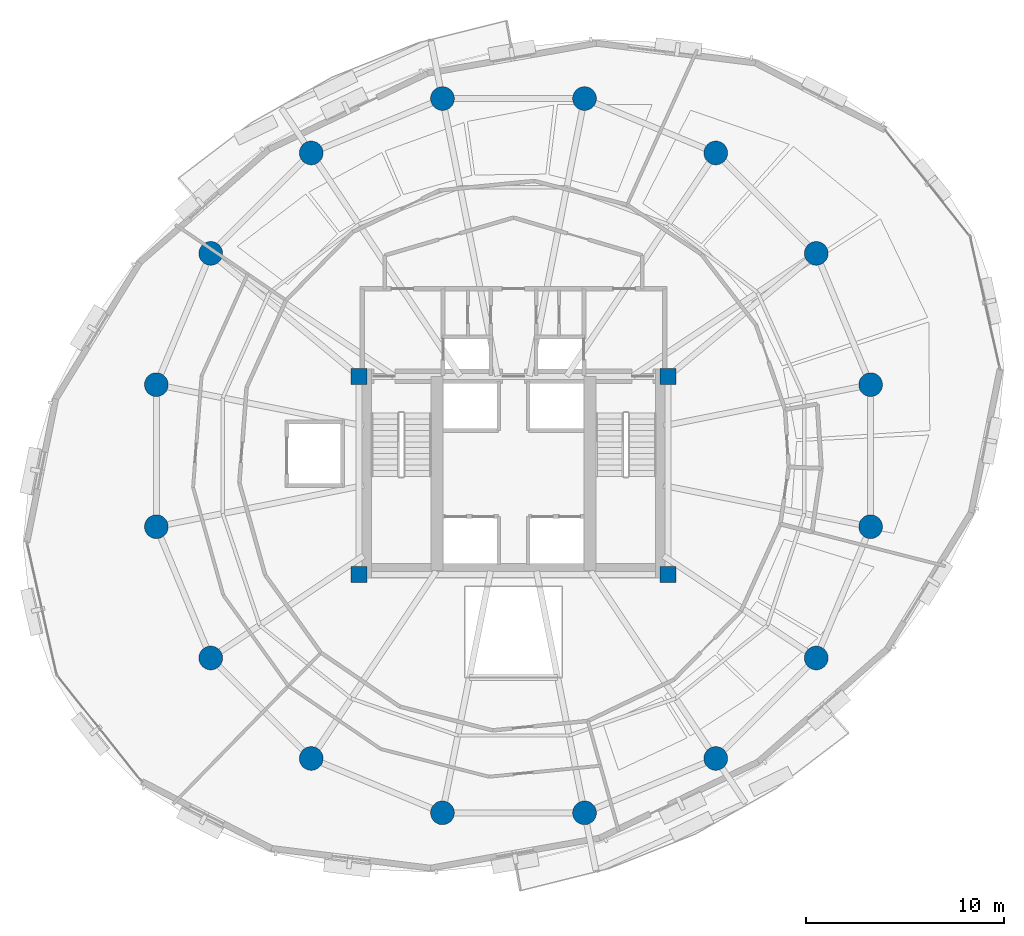
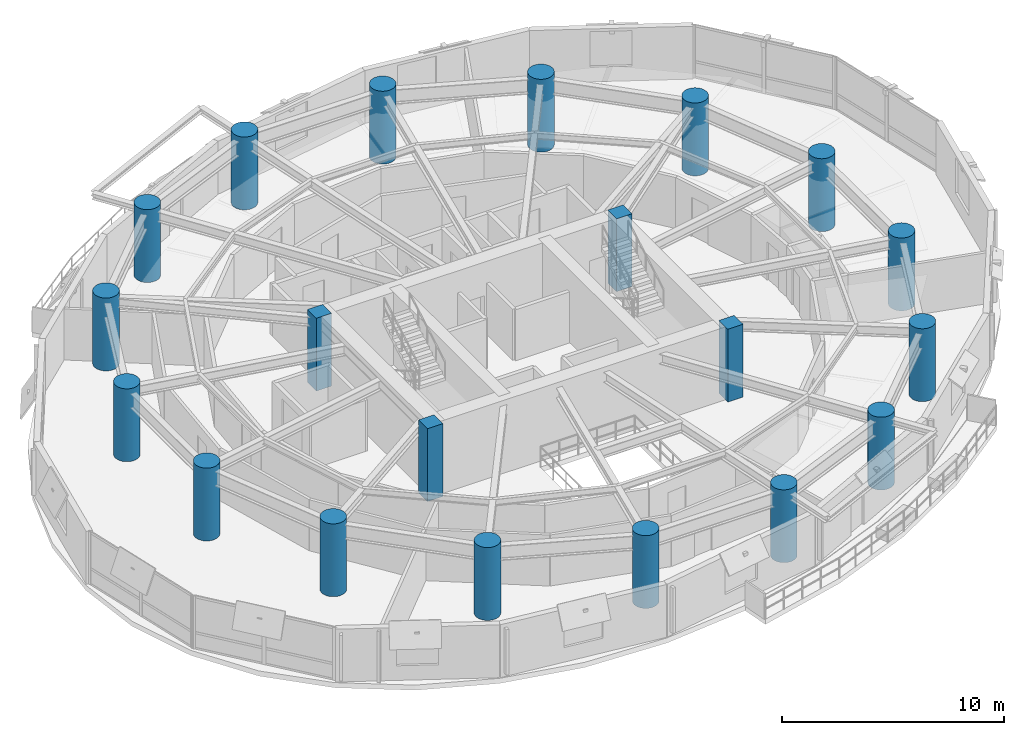
# One storey, part 1 of 15: 20 columns.
"""IFC4 building model written with IfcOpenShell, lengths in metres."""

from ifc_helpers import new_model, si_unit, direction, frame, origin, origin_2d, place, context, subcontext, project, spatial, rectangle, circle, extrude, material, material_profile, profile_set, type_object, element, save


model = new_model("IFC4")

# Units and contexts
model_context = context("Model", 3, precision=1e-05, world=origin(), true_north=direction((0.0, 1.0)))
body_context = subcontext(model_context, "Body", "Model", "MODEL_VIEW")
ifc_project = project(units=[si_unit("LENGTHUNIT", "METRE"), si_unit("AREAUNIT", "SQUARE_METRE"), si_unit("VOLUMEUNIT", "CUBIC_METRE"), si_unit("PLANEANGLEUNIT", "RADIAN"), si_unit("MASSUNIT", "GRAM", prefix="KILO"), si_unit("THERMODYNAMICTEMPERATUREUNIT", "KELVIN"), si_unit("POWERUNIT", "WATT")], contexts=[model_context])

# Site, building, storey
site_placement = place(None, origin())
site = spatial("IfcSite", under=ifc_project, at=site_placement, CompositionType="ELEMENT")
building_placement = place(site_placement, origin())
building = spatial("IfcBuilding", under=site, at=building_placement, Name="Ocrelia Relay Tower", CompositionType="ELEMENT")
storey_placement = place(building_placement, frame((0.0, 0.0, 141.800048828125)))
storey = spatial("IfcBuildingStorey", under=building, at=storey_placement, Name="L33", CompositionType="ELEMENT", Elevation=141.800048828125)

# Columns
ifc_material = material(Name="Concrete C60/75", Category="concrete")
ifc_material_profile_1 = material_profile(ifc_material, circle(Radius=0.60009765625, at=origin_2d()), Name="RC-CIR-1200")
ifc_profile_set_1 = profile_set([ifc_material_profile_1], Name="Concrete C60/75")
column_type_1 = type_object("IfcColumnType", Name="COL-CT-1200", PredefinedType="COLUMN", material=ifc_profile_set_1)
for number, where, z_axis, x_axis, name in (
    (1, (52.04638671875, 29.589599609375, 0.0), (0.0, 0.0, 1.0), (1.0, 0.0, 0.0), "L33 Perimeter Ring Column C01"),
    (2, (49.299072265625, 36.222412109375, 0.0), (0.0, 0.0, 1.0), (1.0, 0.0, 0.0), "L33 Perimeter Ring Column C02"),
    (3, (44.222412109375, 41.299072265625, 0.0), (0.0, 0.0, 1.0), (1.0, 0.0, 0.0), "L33 Perimeter Ring Column C03"),
    (4, (37.589599609375, 44.04638671875, 0.0), (0.0, 0.0, 1.0), (1.0, 0.0, 0.0), "L33 Perimeter Ring Column C04"),
    (5, (30.410400390625, 44.04638671875, 0.0), (0.0, 0.0, 1.0), (1.0, 0.0, 0.0), "L33 Perimeter Ring Column C05"),
    (6, (23.777587890625, 41.299072265625, 0.0), (0.0, 0.0, 1.0), (1.0, 0.0, 0.0), "L33 Perimeter Ring Column C06"),
    (7, (18.700927734375, 36.222412109375, 0.0), (0.0, 0.0, 1.0), (1.0, 0.0, 0.0), "L33 Perimeter Ring Column C07"),
    (8, (15.95361328125, 29.589599609375, 0.0), (0.0, 0.0, 1.0), (1.0, 0.0, 0.0), "L33 Perimeter Ring Column C08"),
    (9, (15.95361328125, 22.410400390625, 0.0), (0.0, 0.0, 1.0), (1.0, 0.0, 0.0), "L33 Perimeter Ring Column C09"),
    (10, (18.700927734375, 15.777587890625, 0.0), (0.0, 0.0, 1.0), (1.0, 0.0, 0.0), "L33 Perimeter Ring Column C10"),
    (11, (23.777587890625, 10.700927734375, 0.0), (0.0, 0.0, 1.0), (1.0, 0.0, 0.0), "L33 Perimeter Ring Column C11"),
    (12, (30.410400390625, 7.95361328125, 0.0), (0.0, 0.0, 1.0), (1.0, 0.0, 0.0), "L33 Perimeter Ring Column C12"),
    (13, (37.589599609375, 7.95361328125, 0.0), (0.0, 0.0, 1.0), (1.0, 0.0, 0.0), "L33 Perimeter Ring Column C13"),
    (14, (44.222412109375, 10.700927734375, 0.0), (0.0, 0.0, 1.0), (1.0, 0.0, 0.0), "L33 Perimeter Ring Column C14"),
    (15, (49.299072265625, 15.777587890625, 0.0), (0.0, 0.0, 1.0), (1.0, 0.0, 0.0), "L33 Perimeter Ring Column C15"),
    (16, (52.04638671875, 22.410400390625, 0.0), (0.0, 0.0, 1.0), (1.0, 0.0, 0.0), "L33 Perimeter Ring Column C16"),
):
    element("IfcColumn", number, at=place(storey_placement, frame(where, z_axis=z_axis, x_axis=x_axis)), inside=storey, type_object=column_type_1, Name=name, PredefinedType="COLUMN", context=body_context, shape_type="SweptSolid", body=[
        extrude(circle(Radius=0.60009765625, at=origin_2d()), origin(), (0.0, 0.0, 1.0), 4.0),
    ])
ifc_material_profile_2 = material_profile(ifc_material, rectangle(XDim=0.800048828125, YDim=0.800048828125, at=origin_2d()), Name="RC-COL-800x800")
ifc_profile_set_2 = profile_set([ifc_material_profile_2], Name="Concrete C60/75")
column_type_2 = type_object("IfcColumnType", Name="COL-PILASTER-800", PredefinedType="PILASTER", material=ifc_profile_set_2)
for number, where, z_axis, x_axis, name in (
    (17, (26.199951171875, 20.0, 0.0), (0.0, 0.0, 1.0), (1.0, 0.0, 0.0), "L33 Core Corner Pilaster SW"),
    (18, (41.800048828125, 20.0, 0.0), (0.0, 0.0, 1.0), (1.0, 0.0, 0.0), "L33 Core Corner Pilaster SE"),
    (19, (26.199951171875, 30.0, 0.0), (0.0, 0.0, 1.0), (1.0, 0.0, 0.0), "L33 Core Corner Pilaster NW"),
    (20, (41.800048828125, 30.0, 0.0), (0.0, 0.0, 1.0), (1.0, 0.0, 0.0), "L33 Core Corner Pilaster NE"),
):
    element("IfcColumn", number, at=place(storey_placement, frame(where, z_axis=z_axis, x_axis=x_axis)), inside=storey, type_object=column_type_2, Name=name, PredefinedType="PILASTER", context=body_context, shape_type="SweptSolid", body=[
        extrude(rectangle(XDim=0.800048828125, YDim=0.800048828125, at=origin_2d()), origin(), (0.0, 0.0, 1.0), 4.0),
    ])

save(model, "model.ifc")
